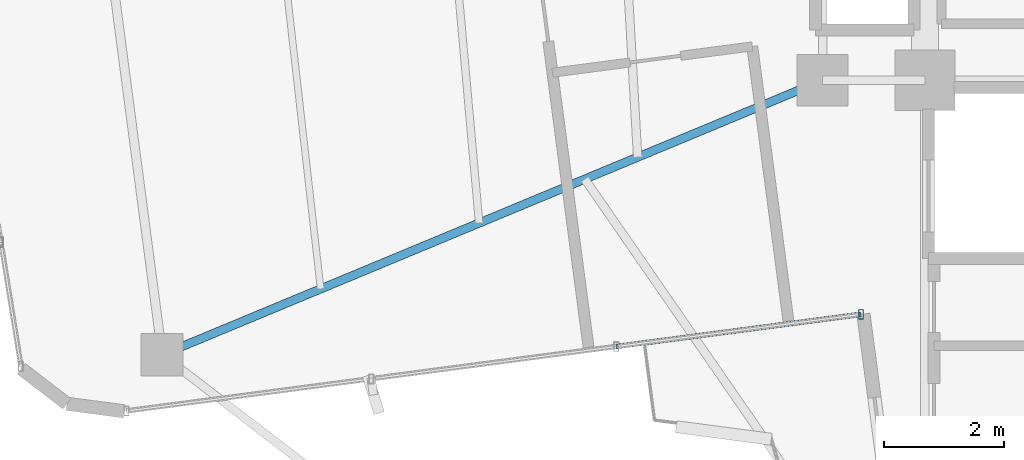
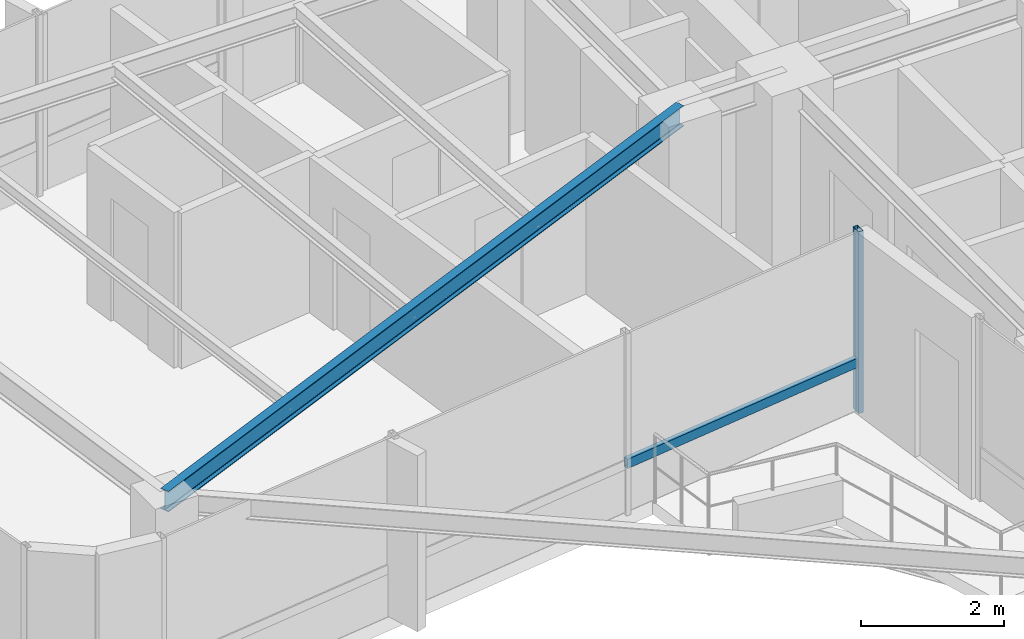
# One storey, part 3 of 22: 2 members, 1 beam, 1 element without a shape of its own.
"""IFC4 building model written with IfcOpenShell, lengths in metres."""

from ifc_helpers import new_model, si_unit, direction, frame, origin, origin_2d, place, context, subcontext, project, spatial, hollow_rectangle, i_section, extrude, source, transform, mapped, material, material_profile, profile_set, type_object, element, aggregate, save


model = new_model("IFC4")

# Units and contexts
model_context = context("Model", 3, precision=1e-05, world=origin(), true_north=direction((0.0, 1.0)))
body_context = subcontext(model_context, "Body", "Model", "MODEL_VIEW")
ifc_project = project(units=[si_unit("LENGTHUNIT", "METRE"), si_unit("AREAUNIT", "SQUARE_METRE"), si_unit("VOLUMEUNIT", "CUBIC_METRE"), si_unit("PLANEANGLEUNIT", "RADIAN"), si_unit("MASSUNIT", "GRAM", prefix="KILO")], contexts=[model_context])

# Site, building, storey
site_placement = place(None, origin())
site = spatial("IfcSite", under=ifc_project, at=site_placement, CompositionType="ELEMENT")
building_placement = place(site_placement, origin())
building = spatial("IfcBuilding", under=site, at=building_placement, Name="Sahyath Konkavel Grand Hotel", CompositionType="ELEMENT")
storey_placement = place(building_placement, frame((0.0, 0.0, 269.10009765625)))
storey = spatial("IfcBuildingStorey", under=building, at=storey_placement, Name="L75", CompositionType="ELEMENT", Elevation=269.10009765625)

# Beam
ifc_material_1 = material(Name="Steel E350", Category="steel")
ifc_material_profile_1 = material_profile(ifc_material_1, i_section(OverallWidth=0.139892578125, OverallDepth=0.35009765625, WebThickness=0.008056640625, FlangeThickness=0.01416015625, FilletRadius=0.013916015625, at=origin_2d()), Name="ISMB 350")
ifc_profile_set_1 = profile_set([ifc_material_profile_1], Name="Steel E350")
beam_type = type_object("IfcBeamType", Name="BM-ISMB350", PredefinedType="BEAM", material=ifc_profile_set_1)
shared_shape_1 = source(origin(), body_context, "Body", "SweptSolid", [
    extrude(i_section(OverallWidth=0.139892578125, OverallDepth=0.35009765625, WebThickness=0.008056640625, FlangeThickness=0.01416015625, FilletRadius=0.013916015625, at=origin_2d()), origin(), (0.0, 0.0, 1.0), 11.882080078125),
])
beam_placement = place(storey_placement, frame((-5.5, -2.39990234375, 2.934814453125), z_axis=(-0.923435785797, -0.383752979804, 0.0), x_axis=(0.383752979804, -0.923435785797, 0.0)))
element("IfcBeam", 1, at=beam_placement, inside=storey, type_object=beam_type, Name="L75 Cruciform Radial Girder WB", PredefinedType="BEAM", context=body_context, shape_type="MappedRepresentation", body=[
    mapped(shared_shape_1, transform((0.0, 0.0, 0.0), scale=1.0)),
])

# Curtain wall, members
ifc_material_2 = material(Name="Anodised Bronze Aluminium & Low-E Glazing", Category="aluminium")
curtain_wall_type = type_object("IfcCurtainWallType", Name="CW-ZONE4", PredefinedType="NOTDEFINED", material=ifc_material_2)
curtain_wall_placement = place(storey_placement, origin())
curtain_wall = element("IfcCurtainWall", 2, at=curtain_wall_placement, inside=storey, type_object=curtain_wall_type, Name="L75 Unitised Curtain Wall F23", PredefinedType="NOTDEFINED")
ifc_material_3 = material(Name="Anodised Bronze Aluminium", Category="aluminium")
ifc_material_profile_2 = material_profile(ifc_material_3, hollow_rectangle(XDim=0.080078125, YDim=0.159912109375, WallThickness=0.006103515625, at=origin_2d()), Name="RHS 160x80x6")
ifc_profile_set_2 = profile_set([ifc_material_profile_2], Name="Anodised Bronze Aluminium")
member_type_1 = type_object("IfcMemberType", Name="CW-MUL-160", PredefinedType="MULLION", material=ifc_profile_set_2)
shared_shape_2 = source(origin(), body_context, "Body", "SweptSolid", [
    extrude(hollow_rectangle(XDim=0.080078125, YDim=0.159912109375, WallThickness=0.006103515625, at=origin_2d()), origin(), (0.0, 0.0, 1.0), 3.10986328125),
])
member_1_placement = place(storey_placement, frame((-4.86083984375, -6.2880859375, 0.0), z_axis=(0.0, 0.0, 1.0), x_axis=(1.0, 0.0, 0.0)))
member_1 = element("IfcMember", 3, at=member_1_placement, type_object=member_type_1, Name="L75 Curtain Wall Mullion F23-3", PredefinedType="MULLION", context=body_context, shape_type="MappedRepresentation", body=[
    mapped(shared_shape_2, transform((0.0, 0.0, 0.0), scale=1.0)),
])
ifc_material_profile_3 = material_profile(ifc_material_3, hollow_rectangle(XDim=0.080078125, YDim=0.159912109375, WallThickness=0.006103515625, at=origin_2d()), Name="RHS 160x80x6")
ifc_profile_set_3 = profile_set([ifc_material_profile_3], Name="Anodised Bronze Aluminium")
member_type_2 = type_object("IfcMemberType", Name="CW-TRN-160", PredefinedType="USERDEFINED", material=ifc_profile_set_3)
shared_shape_3 = source(origin(), body_context, "Body", "SweptSolid", [
    extrude(hollow_rectangle(XDim=0.080078125, YDim=0.159912109375, WallThickness=0.006103515625, at=origin_2d()), origin(), (0.0, 0.0, 1.0), 4.103271484375),
])
member_2_placement = place(storey_placement, frame((-8.928955078125, -6.82373046875, 0.849853515625), z_axis=(0.991442748161, 0.130542242661, 0.0), x_axis=(-0.130542242661, 0.991442748161, 0.0)))
member_2 = element("IfcMember", 4, at=member_2_placement, type_object=member_type_2, Name="L75 Curtain Wall Transom F23-2-spandrel", ObjectType="TRANSOM", PredefinedType="USERDEFINED", context=body_context, shape_type="MappedRepresentation", body=[
    mapped(shared_shape_3, transform((0.0, 0.0, 0.0), scale=1.0)),
])
aggregate(curtain_wall, [member_1, member_2])

save(model, "model.ifc")
